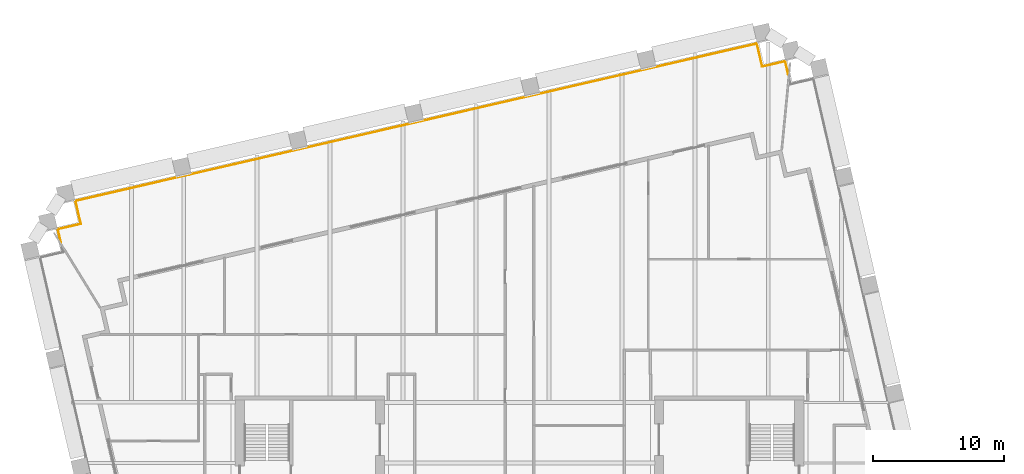
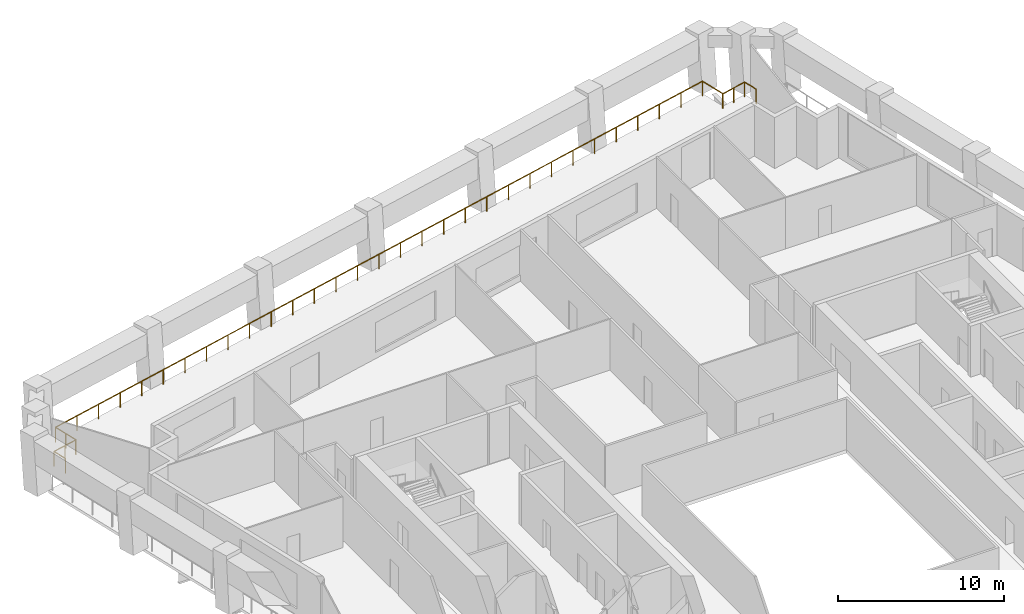
# One storey, part 14 of 14: 1 railing.
"""IFC4 building model written with IfcOpenShell, lengths in metres."""

from ifc_helpers import new_model, si_unit, direction, frame, origin, origin_2d, place, context, subcontext, project, spatial, circle, extrude, material, type_object, element, save


model = new_model("IFC4")

# Units and contexts
model_context = context("Model", 3, precision=1e-05, world=origin(), true_north=direction((0.0, 1.0)))
body_context = subcontext(model_context, "Body", "Model", "MODEL_VIEW")
ifc_project = project(units=[si_unit("LENGTHUNIT", "METRE"), si_unit("AREAUNIT", "SQUARE_METRE"), si_unit("VOLUMEUNIT", "CUBIC_METRE"), si_unit("PLANEANGLEUNIT", "RADIAN"), si_unit("MASSUNIT", "GRAM", prefix="KILO")], contexts=[model_context])

# Site, building, storey
site_placement = place(None, origin())
site = spatial("IfcSite", under=ifc_project, at=site_placement, CompositionType="ELEMENT")
building_placement = place(site_placement, origin())
building = spatial("IfcBuilding", under=site, at=building_placement, Name="Ogive Exchange Tower", CompositionType="ELEMENT")
storey_placement = place(building_placement, frame((0.0, 0.0, 222.0)))
storey = spatial("IfcBuildingStorey", under=building, at=storey_placement, Name="L49", CompositionType="ELEMENT", Elevation=222.0)

# Railing
ifc_material = material(Name="Stainless steel 316", Category="steel")
railing_type = type_object("IfcRailingType", Name="Guard 1100 stainless steel and glass", PredefinedType="GUARDRAIL", material=ifc_material)
railing_placement = place(storey_placement, frame((-34.993408203125, 37.46728515625, -0.050048828125)))
element("IfcRailing", 1, at=railing_placement, inside=storey, type_object=railing_type, Name="Loggia guard 3", PredefinedType="GUARDRAIL", context=body_context, shape_type="SweptSolid", body=[
    extrude(circle(Radius=0.02392578125, at=origin_2d()), frame((0.0, 0.0, 1.076171875), z_axis=(-0.224929410073, 0.974375061506, 0.0), x_axis=(-0.974375061506, -0.224929410073, 0.0)), (0.0, 0.0, 1.0), 1.020263671875),
    extrude(circle(Radius=0.02392578125, at=origin_2d()), frame((-0.2294921875, 0.994140625, 1.076171875), z_axis=(0.974356896201, 0.225008086135, 0.0), x_axis=(-0.225008086135, 0.974356896201, 0.0)), (0.0, 0.0, 1.0), 1.800048828125),
    extrude(circle(Radius=0.02392578125, at=origin_2d()), frame((1.5244140625, 1.399169921875, 1.076171875), z_axis=(-0.224879318197, 0.974386623598, 0.0), x_axis=(-0.974386623598, -0.224879318197, 0.0)), (0.0, 0.0, 1.0), 1.800048828125),
    extrude(circle(Radius=0.02392578125, at=origin_2d()), frame((1.11962890625, 3.153076171875, 1.076171875), z_axis=(0.974370756733, 0.224948057169, 0.0), x_axis=(-0.224948057169, 0.974370756733, 0.0)), (0.0, 0.0, 1.0), 53.35986328125),
    extrude(circle(Radius=0.02392578125, at=origin_2d()), frame((53.11181640625, 15.15625, 1.076171875), z_axis=(0.22503782496, -0.974350028141, 0.0), x_axis=(0.974350028141, 0.22503782496, 0.0)), (0.0, 0.0, 1.0), 1.7998046875),
    extrude(circle(Radius=0.02392578125, at=origin_2d()), frame((53.516845703125, 13.402587890625, 1.076171875), z_axis=(0.974386623598, 0.224879318197, 0.0), x_axis=(-0.224879318197, 0.974386623598, 0.0)), (0.0, 0.0, 1.0), 1.800048828125),
    extrude(circle(Radius=0.02392578125, at=origin_2d()), frame((55.270751953125, 13.807373046875, 1.076171875), z_axis=(0.224929410073, -0.974375061506, 0.0), x_axis=(0.974375061506, 0.224929410073, 0.0)), (0.0, 0.0, 1.0), 1.020263671875),
    extrude(circle(Radius=0.02099609375, at=origin_2d()), origin(), (0.0, 0.0, 1.0), 1.052001953125),
    extrude(circle(Radius=0.02099609375, at=origin_2d()), frame((-0.2294921875, 0.994140625, 0.0)), (0.0, 0.0, 1.0), 1.052001953125),
    extrude(circle(Radius=0.02099609375, at=origin_2d()), frame((0.6474609375, 1.19677734375, 0.0)), (0.0, 0.0, 1.0), 1.052001953125),
    extrude(circle(Radius=0.02099609375, at=origin_2d()), frame((1.5244140625, 1.399169921875, 0.0)), (0.0, 0.0, 1.0), 1.052001953125),
    extrude(circle(Radius=0.02099609375, at=origin_2d()), frame((1.322021484375, 2.276123046875, 0.0)), (0.0, 0.0, 1.0), 1.052001953125),
    extrude(circle(Radius=0.02099609375, at=origin_2d()), frame((1.11962890625, 3.153076171875, 0.0)), (0.0, 0.0, 1.0), 1.052001953125),
    extrude(circle(Radius=0.02099609375, at=origin_2d()), frame((2.852783203125, 3.55322265625, 0.0)), (0.0, 0.0, 1.0), 1.052001953125),
    extrude(circle(Radius=0.02099609375, at=origin_2d()), frame((4.585693359375, 3.953369140625, 0.0)), (0.0, 0.0, 1.0), 1.052001953125),
    extrude(circle(Radius=0.02099609375, at=origin_2d()), frame((6.31884765625, 4.353515625, 0.0)), (0.0, 0.0, 1.0), 1.052001953125),
    extrude(circle(Radius=0.02099609375, at=origin_2d()), frame((8.052001953125, 4.75341796875, 0.0)), (0.0, 0.0, 1.0), 1.052001953125),
    extrude(circle(Radius=0.02099609375, at=origin_2d()), frame((9.784912109375, 5.153564453125, 0.0)), (0.0, 0.0, 1.0), 1.052001953125),
    extrude(circle(Radius=0.02099609375, at=origin_2d()), frame((11.51806640625, 5.5537109375, 0.0)), (0.0, 0.0, 1.0), 1.052001953125),
    extrude(circle(Radius=0.02099609375, at=origin_2d()), frame((13.251220703125, 5.953857421875, 0.0)), (0.0, 0.0, 1.0), 1.052001953125),
    extrude(circle(Radius=0.02099609375, at=origin_2d()), frame((14.984130859375, 6.35400390625, 0.0)), (0.0, 0.0, 1.0), 1.052001953125),
    extrude(circle(Radius=0.02099609375, at=origin_2d()), frame((16.71728515625, 6.75390625, 0.0)), (0.0, 0.0, 1.0), 1.052001953125),
    extrude(circle(Radius=0.02099609375, at=origin_2d()), frame((18.450439453125, 7.154052734375, 0.0)), (0.0, 0.0, 1.0), 1.052001953125),
    extrude(circle(Radius=0.02099609375, at=origin_2d()), frame((20.183349609375, 7.55419921875, 0.0)), (0.0, 0.0, 1.0), 1.052001953125),
    extrude(circle(Radius=0.02099609375, at=origin_2d()), frame((21.91650390625, 7.954345703125, 0.0)), (0.0, 0.0, 1.0), 1.052001953125),
    extrude(circle(Radius=0.02099609375, at=origin_2d()), frame((23.649658203125, 8.3544921875, 0.0)), (0.0, 0.0, 1.0), 1.052001953125),
    extrude(circle(Radius=0.02099609375, at=origin_2d()), frame((25.382568359375, 8.754638671875, 0.0)), (0.0, 0.0, 1.0), 1.052001953125),
    extrude(circle(Radius=0.02099609375, at=origin_2d()), frame((27.11572265625, 9.15478515625, 0.0)), (0.0, 0.0, 1.0), 1.052001953125),
    extrude(circle(Radius=0.02099609375, at=origin_2d()), frame((28.848876953125, 9.5546875, 0.0)), (0.0, 0.0, 1.0), 1.052001953125),
    extrude(circle(Radius=0.02099609375, at=origin_2d()), frame((30.581787109375, 9.954833984375, 0.0)), (0.0, 0.0, 1.0), 1.052001953125),
    extrude(circle(Radius=0.02099609375, at=origin_2d()), frame((32.31494140625, 10.35498046875, 0.0)), (0.0, 0.0, 1.0), 1.052001953125),
    extrude(circle(Radius=0.02099609375, at=origin_2d()), frame((34.048095703125, 10.755126953125, 0.0)), (0.0, 0.0, 1.0), 1.052001953125),
    extrude(circle(Radius=0.02099609375, at=origin_2d()), frame((35.781005859375, 11.1552734375, 0.0)), (0.0, 0.0, 1.0), 1.052001953125),
    extrude(circle(Radius=0.02099609375, at=origin_2d()), frame((37.51416015625, 11.55517578125, 0.0)), (0.0, 0.0, 1.0), 1.052001953125),
    extrude(circle(Radius=0.02099609375, at=origin_2d()), frame((39.247314453125, 11.955322265625, 0.0)), (0.0, 0.0, 1.0), 1.052001953125),
    extrude(circle(Radius=0.02099609375, at=origin_2d()), frame((40.980224609375, 12.35546875, 0.0)), (0.0, 0.0, 1.0), 1.052001953125),
    extrude(circle(Radius=0.02099609375, at=origin_2d()), frame((42.71337890625, 12.755615234375, 0.0)), (0.0, 0.0, 1.0), 1.052001953125),
    extrude(circle(Radius=0.02099609375, at=origin_2d()), frame((44.446533203125, 13.15576171875, 0.0)), (0.0, 0.0, 1.0), 1.052001953125),
    extrude(circle(Radius=0.02099609375, at=origin_2d()), frame((46.179443359375, 13.555908203125, 0.0)), (0.0, 0.0, 1.0), 1.052001953125),
    extrude(circle(Radius=0.02099609375, at=origin_2d()), frame((47.91259765625, 13.9560546875, 0.0)), (0.0, 0.0, 1.0), 1.052001953125),
    extrude(circle(Radius=0.02099609375, at=origin_2d()), frame((49.645751953125, 14.35595703125, 0.0)), (0.0, 0.0, 1.0), 1.052001953125),
    extrude(circle(Radius=0.02099609375, at=origin_2d()), frame((51.378662109375, 14.756103515625, 0.0)), (0.0, 0.0, 1.0), 1.052001953125),
    extrude(circle(Radius=0.02099609375, at=origin_2d()), frame((53.11181640625, 15.15625, 0.0)), (0.0, 0.0, 1.0), 1.052001953125),
    extrude(circle(Radius=0.02099609375, at=origin_2d()), frame((53.516845703125, 13.402587890625, 0.0)), (0.0, 0.0, 1.0), 1.052001953125),
    extrude(circle(Radius=0.02099609375, at=origin_2d()), frame((54.393798828125, 13.60498046875, 0.0)), (0.0, 0.0, 1.0), 1.052001953125),
    extrude(circle(Radius=0.02099609375, at=origin_2d()), frame((55.270751953125, 13.807373046875, 0.0)), (0.0, 0.0, 1.0), 1.052001953125),
    extrude(circle(Radius=0.02099609375, at=origin_2d()), frame((55.500244140625, 12.813232421875, 0.0)), (0.0, 0.0, 1.0), 1.052001953125),
])

save(model, "model.ifc")
